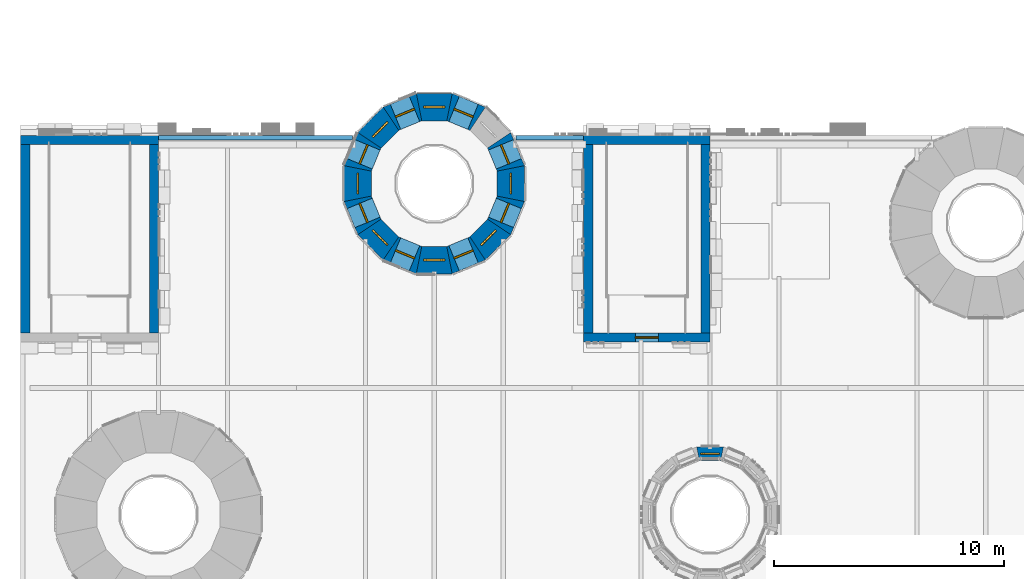
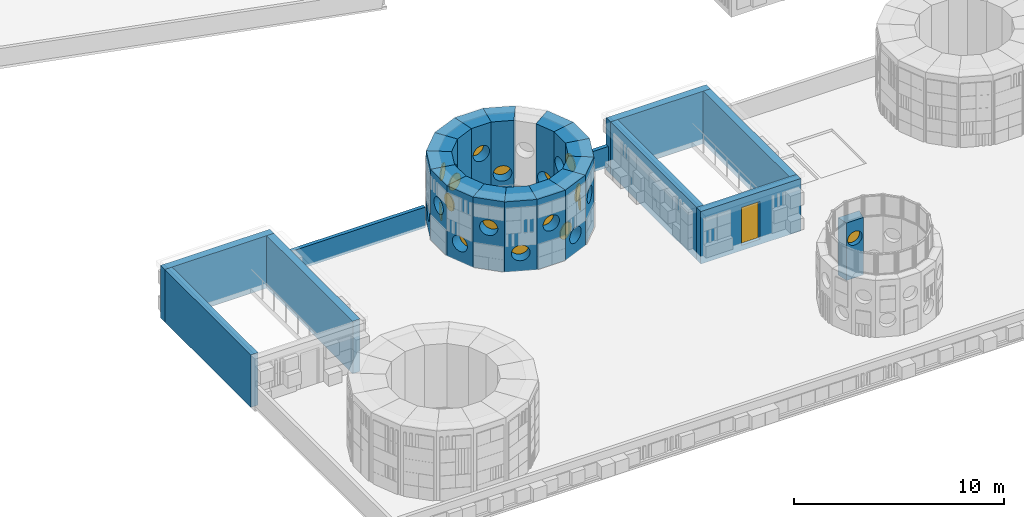
# One storey, part 50 of 98: 25 walls, 16 windows, 1 door, 17 openings.
"""IFC4 building model written with IfcOpenShell, lengths in metres."""

from ifc_helpers import new_model, si_unit, direction, frame, frame_2d, origin, place, context, subcontext, project, spatial, polyline, rectangle, circle, outline, extrude, material, layer, layer_set, type_object, element, fill, save


model = new_model("IFC4")

# Units and contexts
model_context = context("Model", 3, precision=1e-05, world=origin(), true_north=direction((0.0, 1.0)))
body_context = subcontext(model_context, "Body", "Model", "MODEL_VIEW")
ifc_project = project(units=[si_unit("LENGTHUNIT", "METRE"), si_unit("AREAUNIT", "SQUARE_METRE"), si_unit("VOLUMEUNIT", "CUBIC_METRE"), si_unit("PLANEANGLEUNIT", "RADIAN"), si_unit("MASSUNIT", "GRAM", prefix="KILO")], contexts=[model_context])

# Site, building, storey
site_placement = place(None, origin())
site = spatial("IfcSite", under=ifc_project, at=site_placement, CompositionType="ELEMENT")
building_placement = place(site_placement, origin())
building = spatial("IfcBuilding", under=site, at=building_placement, Name="Sun Court Science Centre", CompositionType="ELEMENT")
storey_placement = place(building_placement, frame((0.0, 0.0, 15.75)))
storey = spatial("IfcBuildingStorey", under=building, at=storey_placement, Name="L03", CompositionType="ELEMENT", Elevation=15.75)

# Wall, opening, window
ifc_material_1 = material(Name="Concrete C30/37", Category="concrete")
ifc_layer_1 = layer(ifc_material_1, 1.18798828125)
ifc_layer_set_1 = layer_set([ifc_layer_1], Name="Concrete C30/37")
wall_type_1 = type_object("IfcWallType", Name="RC cone ring wall exterior 1188", PredefinedType="SHEAR", material=ifc_layer_set_1)
wall_1_placement = place(storey_placement, frame((21.3740234375, 26.452880859375, 0.110107421875), z_axis=(0.0, 0.0, 1.0), x_axis=(-0.382637325897, 0.923898629088, 0.0)))
wall_1 = element("IfcWall", 1, at=wall_1_placement, inside=storey, type_object=wall_type_1, Name="Cone 2 ring wall L03 segment 1", PredefinedType="SHEAR", context=body_context, shape_type="SweptSolid", body=[
    extrude(outline(polyline([(0.000244140625, -0.59423828125), (1.560791015625, -0.59423828125), (1.324462890625, 0.593994140625), (0.236572265625, 0.593994140625), (0.000244140625, -0.59423828125)])), origin(), (0.0, 0.0, 1.0), 4.08984375),
])
opening_1_placement = place(wall_1_placement, frame((0.330322265625, 0.0, 0.60009765625)))
opening_1 = element("IfcOpeningElement", 2, at=opening_1_placement, cuts=wall_1, Name="Opening WN-L03-001", PredefinedType="OPENING", context=body_context, shape_type="SweptSolid", body=[
    extrude(circle(Radius=0.449951171875, at=frame_2d((0.449951171875, 0.449951171875))), frame((0.0, 0.604248046875, 0.0), z_axis=(0.0, -1.0, 0.0), x_axis=(1.0, 0.0, 0.0)), (0.0, 0.0, 1.0), 1.20849609375),
])
ifc_material_2 = material(Name="Aluminium frame, 6-12-6 glazing", Category="aluminium")
window_type_1 = type_object("IfcWindowType", Name="Round porthole 900", PartitioningType="SINGLE_PANEL", PredefinedType="WINDOW", material=ifc_material_2)
window_1_placement = place(opening_1_placement, origin())
window_1 = element("IfcWindow", 3, at=window_1_placement, inside=storey, type_object=window_type_1, Name="Round porthole cone 2 ring 4 01", OverallHeight=0.89990234375, OverallWidth=0.89990234375, PartitioningType="SINGLE_PANEL", PredefinedType="WINDOW", context=body_context, shape_type="SweptSolid", body=[
    extrude(circle(Radius=0.449951171875, at=frame_2d((0.449951171875, 0.449951171875))), frame((0.0, 0.030029296875, 0.0), z_axis=(0.0, -1.0, 0.0), x_axis=(1.0, 0.0, 0.0)), (0.0, 0.0, 1.0), 0.06005859375),
])
fill(opening_1, window_1)

wall_2_placement = place(storey_placement, frame((19.994873046875, 28.6767578125, 0.110107421875), z_axis=(0.0, 0.0, 1.0), x_axis=(-0.923843320534, 0.382770844116, 0.0)))
wall_2 = element("IfcWall", 4, at=wall_2_placement, inside=storey, type_object=wall_type_1, Name="Cone 2 ring wall L03 segment 3", PredefinedType="SHEAR", context=body_context, shape_type="SweptSolid", body=[
    extrude(outline(polyline([(0.0, -0.59423828125), (1.560546875, -0.59423828125), (1.324462890625, 0.59423828125), (0.236328125, 0.59423828125), (0.0, -0.59423828125)])), origin(), (0.0, 0.0, 1.0), 4.08984375),
])
opening_2_placement = place(wall_2_placement, frame((0.330322265625, 0.0, 0.60009765625)))
opening_2 = element("IfcOpeningElement", 5, at=opening_2_placement, cuts=wall_2, Name="Opening WN-L03-002", PredefinedType="OPENING", context=body_context, shape_type="SweptSolid", body=[
    extrude(circle(Radius=0.449951171875, at=frame_2d((0.449951171875, 0.449951171875))), frame((0.0, 0.604248046875, 0.0), z_axis=(0.0, -1.0, 0.0), x_axis=(1.0, 0.0, 0.0)), (0.0, 0.0, 1.0), 1.20849609375),
])
window_2_placement = place(opening_2_placement, origin())
window_2 = element("IfcWindow", 6, at=window_2_placement, inside=storey, type_object=window_type_1, Name="Round porthole cone 2 ring 4 03", OverallHeight=0.89990234375, OverallWidth=0.89990234375, PartitioningType="SINGLE_PANEL", PredefinedType="WINDOW", context=body_context, shape_type="SweptSolid", body=[
    extrude(circle(Radius=0.449951171875, at=frame_2d((0.449951171875, 0.449951171875))), frame((0.0, 0.030029296875, 0.0), z_axis=(0.0, -1.0, 0.0), x_axis=(1.0, 0.0, 0.0)), (0.0, 0.0, 1.0), 0.06005859375),
])
fill(opening_2, window_2)

wall_3_placement = place(storey_placement, frame((18.7802734375, 29.22900390625, 0.110107421875), z_axis=(0.0, 0.0, 1.0), x_axis=(-1.0, 0.0, 0.0)))
wall_3 = element("IfcWall", 7, at=wall_3_placement, inside=storey, type_object=wall_type_1, Name="Cone 2 ring wall L03 segment 4", PredefinedType="SHEAR", context=body_context, shape_type="SweptSolid", body=[
    extrude(outline(polyline([(-0.000244140625, -0.593994140625), (1.560791015625, -0.593994140625), (1.32421875, 0.59423828125), (0.236328125, 0.59423828125), (-0.000244140625, -0.593994140625)])), origin(), (0.0, 0.0, 1.0), 4.08984375),
])
opening_3_placement = place(wall_3_placement, frame((0.330322265625, 0.0, 2.0)))
opening_3 = element("IfcOpeningElement", 8, at=opening_3_placement, cuts=wall_3, Name="Opening WN-L03-010", PredefinedType="OPENING", context=body_context, shape_type="SweptSolid", body=[
    extrude(circle(Radius=0.449951171875, at=frame_2d((0.449951171875, 0.449951171875))), frame((0.0, 0.604248046875, 0.0), z_axis=(0.0, -1.0, 0.0), x_axis=(1.0, 0.0, 0.0)), (0.0, 0.0, 1.0), 1.20849609375),
])
window_3_placement = place(opening_3_placement, origin())
window_3 = element("IfcWindow", 9, at=window_3_placement, inside=storey, type_object=window_type_1, Name="Round porthole cone 2 ring 4 04", OverallHeight=0.89990234375, OverallWidth=0.89990234375, PartitioningType="SINGLE_PANEL", PredefinedType="WINDOW", context=body_context, shape_type="SweptSolid", body=[
    extrude(circle(Radius=0.449951171875, at=frame_2d((0.449951171875, 0.449951171875))), frame((0.0, 0.030029296875, 0.0), z_axis=(0.0, -1.0, 0.0), x_axis=(1.0, 0.0, 0.0)), (0.0, 0.0, 1.0), 0.06005859375),
])
fill(opening_3, window_3)

wall_4_placement = place(storey_placement, frame((17.447021484375, 29.274169921875, 0.110107421875), z_axis=(0.0, 0.0, 1.0), x_axis=(-0.923843320534, -0.382770844116, 0.0)))
wall_4 = element("IfcWall", 10, at=wall_4_placement, inside=storey, type_object=wall_type_1, Name="Cone 2 ring wall L03 segment 5", PredefinedType="SHEAR", context=body_context, shape_type="SweptSolid", body=[
    extrude(outline(polyline([(0.000244140625, -0.59423828125), (1.560791015625, -0.59423828125), (1.324462890625, 0.59423828125), (0.236328125, 0.59423828125), (0.000244140625, -0.59423828125)])), origin(), (0.0, 0.0, 1.0), 4.08984375),
])
opening_4_placement = place(wall_4_placement, frame((0.330322265625, 0.0, 0.60009765625)))
opening_4 = element("IfcOpeningElement", 11, at=opening_4_placement, cuts=wall_4, Name="Opening WN-L03-003", PredefinedType="OPENING", context=body_context, shape_type="SweptSolid", body=[
    extrude(circle(Radius=0.449951171875, at=frame_2d((0.449951171875, 0.449951171875))), frame((0.0, 0.604248046875, 0.0), z_axis=(0.0, -1.0, 0.0), x_axis=(1.0, 0.0, 0.0)), (0.0, 0.0, 1.0), 1.20849609375),
])
window_4_placement = place(opening_4_placement, origin())
window_4 = element("IfcWindow", 12, at=window_4_placement, inside=storey, type_object=window_type_1, Name="Round porthole cone 2 ring 4 05", OverallHeight=0.89990234375, OverallWidth=0.89990234375, PartitioningType="SINGLE_PANEL", PredefinedType="WINDOW", context=body_context, shape_type="SweptSolid", body=[
    extrude(circle(Radius=0.449951171875, at=frame_2d((0.449951171875, 0.449951171875))), frame((0.0, 0.030029296875, 0.0), z_axis=(0.0, -1.0, 0.0), x_axis=(1.0, 0.0, 0.0)), (0.0, 0.0, 1.0), 0.06005859375),
])
fill(opening_4, window_4)

wall_5_placement = place(storey_placement, frame((16.197998046875, 28.8056640625, 0.110107421875), z_axis=(0.0, 0.0, 1.0), x_axis=(-0.707184987986, -0.707028565737, 0.0)))
wall_5 = element("IfcWall", 13, at=wall_5_placement, inside=storey, type_object=wall_type_1, Name="Cone 2 ring wall L03 segment 6", PredefinedType="SHEAR", context=body_context, shape_type="SweptSolid", body=[
    extrude(outline(polyline([(0.000244140625, -0.594482421875), (1.560791015625, -0.59423828125), (1.32421875, 0.59423828125), (0.236328125, 0.59423828125), (0.000244140625, -0.594482421875)])), origin(), (0.0, 0.0, 1.0), 4.08984375),
])
opening_5_placement = place(wall_5_placement, frame((0.330322265625, 0.0, 2.0)))
opening_5 = element("IfcOpeningElement", 14, at=opening_5_placement, cuts=wall_5, Name="Opening WN-L03-011", PredefinedType="OPENING", context=body_context, shape_type="SweptSolid", body=[
    extrude(circle(Radius=0.449951171875, at=frame_2d((0.449951171875, 0.449951171875))), frame((0.0, 0.604248046875, 0.0), z_axis=(0.0, -1.0, 0.0), x_axis=(1.0, 0.0, 0.0)), (0.0, 0.0, 1.0), 1.20849609375),
])
window_5_placement = place(opening_5_placement, origin())
window_5 = element("IfcWindow", 15, at=window_5_placement, inside=storey, type_object=window_type_1, Name="Round porthole cone 2 ring 4 06", OverallHeight=0.89990234375, OverallWidth=0.89990234375, PartitioningType="SINGLE_PANEL", PredefinedType="WINDOW", context=body_context, shape_type="SweptSolid", body=[
    extrude(circle(Radius=0.449951171875, at=frame_2d((0.449951171875, 0.449951171875))), frame((0.0, 0.030029296875, 0.0), z_axis=(0.0, -1.0, 0.0), x_axis=(1.0, 0.0, 0.0)), (0.0, 0.0, 1.0), 0.06005859375),
])
fill(opening_5, window_5)

wall_6_placement = place(storey_placement, frame((15.22314453125, 27.894775390625, 0.110107421875), z_axis=(0.0, 0.0, 1.0), x_axis=(-0.382637325897, -0.923898629088, 0.0)))
wall_6 = element("IfcWall", 16, at=wall_6_placement, inside=storey, type_object=wall_type_1, Name="Cone 2 ring wall L03 segment 7", PredefinedType="SHEAR", context=body_context, shape_type="SweptSolid", body=[
    extrude(outline(polyline([(-0.000244140625, -0.59423828125), (1.560546875, -0.59423828125), (1.32421875, 0.593994140625), (0.236328125, 0.593994140625), (-0.000244140625, -0.59423828125)])), origin(), (0.0, 0.0, 1.0), 4.08984375),
])
opening_6_placement = place(wall_6_placement, frame((0.330322265625, 0.0, 0.60009765625)))
opening_6 = element("IfcOpeningElement", 17, at=opening_6_placement, cuts=wall_6, Name="Opening WN-L03-004", PredefinedType="OPENING", context=body_context, shape_type="SweptSolid", body=[
    extrude(circle(Radius=0.449951171875, at=frame_2d((0.449951171875, 0.449951171875))), frame((0.0, 0.604248046875, 0.0), z_axis=(0.0, -1.0, 0.0), x_axis=(1.0, 0.0, 0.0)), (0.0, 0.0, 1.0), 1.20849609375),
])
window_6_placement = place(opening_6_placement, origin())
window_6 = element("IfcWindow", 18, at=window_6_placement, inside=storey, type_object=window_type_1, Name="Round porthole cone 2 ring 4 07", OverallHeight=0.89990234375, OverallWidth=0.89990234375, PartitioningType="SINGLE_PANEL", PredefinedType="WINDOW", context=body_context, shape_type="SweptSolid", body=[
    extrude(circle(Radius=0.449951171875, at=frame_2d((0.449951171875, 0.449951171875))), frame((0.0, 0.030029296875, 0.0), z_axis=(0.0, -1.0, 0.0), x_axis=(1.0, 0.0, 0.0)), (0.0, 0.0, 1.0), 0.06005859375),
])
fill(opening_6, window_6)

wall_7_placement = place(storey_placement, frame((14.671142578125, 26.680419921875, 0.110107421875), z_axis=(0.0, 0.0, 1.0), x_axis=(0.0, -1.0, 0.0)))
wall_7 = element("IfcWall", 19, at=wall_7_placement, inside=storey, type_object=wall_type_1, Name="Cone 2 ring wall L03 segment 8", PredefinedType="SHEAR", context=body_context, shape_type="SweptSolid", body=[
    extrude(outline(polyline([(0.0, -0.59423828125), (1.560791015625, -0.59423828125), (1.324462890625, 0.59423828125), (0.236328125, 0.59423828125), (0.0, -0.59423828125)])), origin(), (0.0, 0.0, 1.0), 4.08984375),
])
opening_7_placement = place(wall_7_placement, frame((0.330322265625, 0.0, 2.0)))
opening_7 = element("IfcOpeningElement", 20, at=opening_7_placement, cuts=wall_7, Name="Opening WN-L03-012", PredefinedType="OPENING", context=body_context, shape_type="SweptSolid", body=[
    extrude(circle(Radius=0.449951171875, at=frame_2d((0.449951171875, 0.449951171875))), frame((0.0, 0.604248046875, 0.0), z_axis=(0.0, -1.0, 0.0), x_axis=(1.0, 0.0, 0.0)), (0.0, 0.0, 1.0), 1.20849609375),
])
window_7_placement = place(opening_7_placement, origin())
window_7 = element("IfcWindow", 21, at=window_7_placement, inside=storey, type_object=window_type_1, Name="Round porthole cone 2 ring 4 08", OverallHeight=0.89990234375, OverallWidth=0.89990234375, PartitioningType="SINGLE_PANEL", PredefinedType="WINDOW", context=body_context, shape_type="SweptSolid", body=[
    extrude(circle(Radius=0.449951171875, at=frame_2d((0.449951171875, 0.449951171875))), frame((0.0, 0.030029296875, 0.0), z_axis=(0.0, -1.0, 0.0), x_axis=(1.0, 0.0, 0.0)), (0.0, 0.0, 1.0), 0.06005859375),
])
fill(opening_7, window_7)

wall_8_placement = place(storey_placement, frame((14.6259765625, 25.346923828125, 0.110107421875), z_axis=(0.0, 0.0, 1.0), x_axis=(0.382637325897, -0.923898629088, 0.0)))
wall_8 = element("IfcWall", 22, at=wall_8_placement, inside=storey, type_object=wall_type_1, Name="Cone 2 ring wall L03 segment 9", PredefinedType="SHEAR", context=body_context, shape_type="SweptSolid", body=[
    extrude(outline(polyline([(0.0, -0.59423828125), (1.560546875, -0.59423828125), (1.32421875, 0.59423828125), (0.236328125, 0.59423828125), (0.0, -0.59423828125)])), origin(), (0.0, 0.0, 1.0), 4.08984375),
])
opening_8_placement = place(wall_8_placement, frame((0.330322265625, 0.0, 0.60009765625)))
opening_8 = element("IfcOpeningElement", 23, at=opening_8_placement, cuts=wall_8, Name="Opening WN-L03-005", PredefinedType="OPENING", context=body_context, shape_type="SweptSolid", body=[
    extrude(circle(Radius=0.449951171875, at=frame_2d((0.449951171875, 0.449951171875))), frame((0.0, 0.604248046875, 0.0), z_axis=(0.0, -1.0, 0.0), x_axis=(1.0, 0.0, 0.0)), (0.0, 0.0, 1.0), 1.20849609375),
])
window_8_placement = place(opening_8_placement, origin())
window_8 = element("IfcWindow", 24, at=window_8_placement, inside=storey, type_object=window_type_1, Name="Round porthole cone 2 ring 4 09", OverallHeight=0.89990234375, OverallWidth=0.89990234375, PartitioningType="SINGLE_PANEL", PredefinedType="WINDOW", context=body_context, shape_type="SweptSolid", body=[
    extrude(circle(Radius=0.449951171875, at=frame_2d((0.449951171875, 0.449951171875))), frame((0.0, 0.030029296875, 0.0), z_axis=(0.0, -1.0, 0.0), x_axis=(1.0, 0.0, 0.0)), (0.0, 0.0, 1.0), 0.06005859375),
])
fill(opening_8, window_8)

wall_9_placement = place(storey_placement, frame((15.09423828125, 24.097900390625, 0.110107421875), z_axis=(0.0, 0.0, 1.0), x_axis=(0.707184987986, -0.707028565737, 0.0)))
wall_9 = element("IfcWall", 25, at=wall_9_placement, inside=storey, type_object=wall_type_1, Name="Cone 2 ring wall L03 segment 10", PredefinedType="SHEAR", context=body_context, shape_type="SweptSolid", body=[
    extrude(outline(polyline([(0.0, -0.59423828125), (1.560546875, -0.594482421875), (1.32421875, 0.59423828125), (0.236572265625, 0.59423828125), (0.0, -0.59423828125)])), origin(), (0.0, 0.0, 1.0), 4.08984375),
])
opening_9_placement = place(wall_9_placement, frame((0.330322265625, 0.0, 2.0)))
opening_9 = element("IfcOpeningElement", 26, at=opening_9_placement, cuts=wall_9, Name="Opening WN-L03-013", PredefinedType="OPENING", context=body_context, shape_type="SweptSolid", body=[
    extrude(circle(Radius=0.449951171875, at=frame_2d((0.449951171875, 0.449951171875))), frame((0.0, 0.604248046875, 0.0), z_axis=(0.0, -1.0, 0.0), x_axis=(1.0, 0.0, 0.0)), (0.0, 0.0, 1.0), 1.20849609375),
])
window_9_placement = place(opening_9_placement, origin())
window_9 = element("IfcWindow", 27, at=window_9_placement, inside=storey, type_object=window_type_1, Name="Round porthole cone 2 ring 4 10", OverallHeight=0.89990234375, OverallWidth=0.89990234375, PartitioningType="SINGLE_PANEL", PredefinedType="WINDOW", context=body_context, shape_type="SweptSolid", body=[
    extrude(circle(Radius=0.449951171875, at=frame_2d((0.449951171875, 0.449951171875))), frame((0.0, 0.030029296875, 0.0), z_axis=(0.0, -1.0, 0.0), x_axis=(1.0, 0.0, 0.0)), (0.0, 0.0, 1.0), 0.06005859375),
])
fill(opening_9, window_9)

wall_10_placement = place(storey_placement, frame((16.005126953125, 23.123046875, 0.110107421875), z_axis=(0.0, 0.0, 1.0), x_axis=(0.923898629088, -0.382637325897, 0.0)))
wall_10 = element("IfcWall", 28, at=wall_10_placement, inside=storey, type_object=wall_type_1, Name="Cone 2 ring wall L03 segment 11", PredefinedType="SHEAR", context=body_context, shape_type="SweptSolid", body=[
    extrude(outline(polyline([(-0.000244140625, -0.59423828125), (1.560546875, -0.59423828125), (1.324462890625, 0.59423828125), (0.236328125, 0.594482421875), (-0.000244140625, -0.59423828125)])), origin(), (0.0, 0.0, 1.0), 4.08984375),
])
opening_10_placement = place(wall_10_placement, frame((0.330322265625, 0.0, 0.60009765625)))
opening_10 = element("IfcOpeningElement", 29, at=opening_10_placement, cuts=wall_10, Name="Opening WN-L03-006", PredefinedType="OPENING", context=body_context, shape_type="SweptSolid", body=[
    extrude(circle(Radius=0.449951171875, at=frame_2d((0.449951171875, 0.449951171875))), frame((0.0, 0.604248046875, 0.0), z_axis=(0.0, -1.0, 0.0), x_axis=(1.0, 0.0, 0.0)), (0.0, 0.0, 1.0), 1.20849609375),
])
window_10_placement = place(opening_10_placement, origin())
window_10 = element("IfcWindow", 30, at=window_10_placement, inside=storey, type_object=window_type_1, Name="Round porthole cone 2 ring 4 11", OverallHeight=0.89990234375, OverallWidth=0.89990234375, PartitioningType="SINGLE_PANEL", PredefinedType="WINDOW", context=body_context, shape_type="SweptSolid", body=[
    extrude(circle(Radius=0.449951171875, at=frame_2d((0.449951171875, 0.449951171875))), frame((0.0, 0.030029296875, 0.0), z_axis=(0.0, -1.0, 0.0), x_axis=(1.0, 0.0, 0.0)), (0.0, 0.0, 1.0), 0.06005859375),
])
fill(opening_10, window_10)

wall_11_placement = place(storey_placement, frame((17.2197265625, 22.571044921875, 0.110107421875), z_axis=(0.0, 0.0, 1.0), x_axis=(1.0, 0.0, 0.0)))
wall_11 = element("IfcWall", 31, at=wall_11_placement, inside=storey, type_object=wall_type_1, Name="Cone 2 ring wall L03 segment 12", PredefinedType="SHEAR", context=body_context, shape_type="SweptSolid", body=[
    extrude(outline(polyline([(-0.000244140625, -0.59423828125), (1.560791015625, -0.59423828125), (1.32421875, 0.59423828125), (0.236328125, 0.59423828125), (-0.000244140625, -0.59423828125)])), origin(), (0.0, 0.0, 1.0), 4.08984375),
])
opening_11_placement = place(wall_11_placement, frame((0.330322265625, 0.0, 2.0)))
opening_11 = element("IfcOpeningElement", 32, at=opening_11_placement, cuts=wall_11, Name="Opening WN-L03-014", PredefinedType="OPENING", context=body_context, shape_type="SweptSolid", body=[
    extrude(circle(Radius=0.449951171875, at=frame_2d((0.449951171875, 0.449951171875))), frame((0.0, 0.604248046875, 0.0), z_axis=(0.0, -1.0, 0.0), x_axis=(1.0, 0.0, 0.0)), (0.0, 0.0, 1.0), 1.20849609375),
])
window_11_placement = place(opening_11_placement, origin())
window_11 = element("IfcWindow", 33, at=window_11_placement, inside=storey, type_object=window_type_1, Name="Round porthole cone 2 ring 4 12", OverallHeight=0.89990234375, OverallWidth=0.89990234375, PartitioningType="SINGLE_PANEL", PredefinedType="WINDOW", context=body_context, shape_type="SweptSolid", body=[
    extrude(circle(Radius=0.449951171875, at=frame_2d((0.449951171875, 0.449951171875))), frame((0.0, 0.030029296875, 0.0), z_axis=(0.0, -1.0, 0.0), x_axis=(1.0, 0.0, 0.0)), (0.0, 0.0, 1.0), 0.06005859375),
])
fill(opening_11, window_11)

wall_12_placement = place(storey_placement, frame((18.552978515625, 22.52587890625, 0.110107421875), z_axis=(0.0, 0.0, 1.0), x_axis=(0.923898629088, 0.382637325897, 0.0)))
wall_12 = element("IfcWall", 34, at=wall_12_placement, inside=storey, type_object=wall_type_1, Name="Cone 2 ring wall L03 segment 13", PredefinedType="SHEAR", context=body_context, shape_type="SweptSolid", body=[
    extrude(outline(polyline([(0.000244140625, -0.59423828125), (1.560791015625, -0.59423828125), (1.32421875, 0.594482421875), (0.236328125, 0.59423828125), (0.000244140625, -0.59423828125)])), origin(), (0.0, 0.0, 1.0), 4.08984375),
])
opening_12_placement = place(wall_12_placement, frame((0.330322265625, 0.0, 0.60009765625)))
opening_12 = element("IfcOpeningElement", 35, at=opening_12_placement, cuts=wall_12, Name="Opening WN-L03-007", PredefinedType="OPENING", context=body_context, shape_type="SweptSolid", body=[
    extrude(circle(Radius=0.449951171875, at=frame_2d((0.449951171875, 0.449951171875))), frame((0.0, 0.604248046875, 0.0), z_axis=(0.0, -1.0, 0.0), x_axis=(1.0, 0.0, 0.0)), (0.0, 0.0, 1.0), 1.20849609375),
])
window_12_placement = place(opening_12_placement, origin())
window_12 = element("IfcWindow", 36, at=window_12_placement, inside=storey, type_object=window_type_1, Name="Round porthole cone 2 ring 4 13", OverallHeight=0.89990234375, OverallWidth=0.89990234375, PartitioningType="SINGLE_PANEL", PredefinedType="WINDOW", context=body_context, shape_type="SweptSolid", body=[
    extrude(circle(Radius=0.449951171875, at=frame_2d((0.449951171875, 0.449951171875))), frame((0.0, 0.030029296875, 0.0), z_axis=(0.0, -1.0, 0.0), x_axis=(1.0, 0.0, 0.0)), (0.0, 0.0, 1.0), 0.06005859375),
])
fill(opening_12, window_12)

wall_13_placement = place(storey_placement, frame((19.802001953125, 22.994384765625, 0.110107421875), z_axis=(0.0, 0.0, 1.0), x_axis=(0.707184987986, 0.707028565737, 0.0)))
wall_13 = element("IfcWall", 37, at=wall_13_placement, inside=storey, type_object=wall_type_1, Name="Cone 2 ring wall L03 segment 14", PredefinedType="SHEAR", context=body_context, shape_type="SweptSolid", body=[
    extrude(outline(polyline([(0.000244140625, -0.594482421875), (1.560791015625, -0.59423828125), (1.32421875, 0.59423828125), (0.236328125, 0.59423828125), (0.000244140625, -0.594482421875)])), origin(), (0.0, 0.0, 1.0), 4.08984375),
])
opening_13_placement = place(wall_13_placement, frame((0.330322265625, 0.0, 2.0)))
opening_13 = element("IfcOpeningElement", 38, at=opening_13_placement, cuts=wall_13, Name="Opening WN-L03-015", PredefinedType="OPENING", context=body_context, shape_type="SweptSolid", body=[
    extrude(circle(Radius=0.449951171875, at=frame_2d((0.449951171875, 0.449951171875))), frame((0.0, 0.604248046875, 0.0), z_axis=(0.0, -1.0, 0.0), x_axis=(1.0, 0.0, 0.0)), (0.0, 0.0, 1.0), 1.20849609375),
])
window_13_placement = place(opening_13_placement, origin())
window_13 = element("IfcWindow", 39, at=window_13_placement, inside=storey, type_object=window_type_1, Name="Round porthole cone 2 ring 4 14", OverallHeight=0.89990234375, OverallWidth=0.89990234375, PartitioningType="SINGLE_PANEL", PredefinedType="WINDOW", context=body_context, shape_type="SweptSolid", body=[
    extrude(circle(Radius=0.449951171875, at=frame_2d((0.449951171875, 0.449951171875))), frame((0.0, 0.030029296875, 0.0), z_axis=(0.0, -1.0, 0.0), x_axis=(1.0, 0.0, 0.0)), (0.0, 0.0, 1.0), 0.06005859375),
])
fill(opening_13, window_13)

wall_14_placement = place(storey_placement, frame((20.77685546875, 23.905029296875, 0.110107421875), z_axis=(0.0, 0.0, 1.0), x_axis=(0.382637325897, 0.923898629088, 0.0)))
wall_14 = element("IfcWall", 40, at=wall_14_placement, inside=storey, type_object=wall_type_1, Name="Cone 2 ring wall L03 segment 15", PredefinedType="SHEAR", context=body_context, shape_type="SweptSolid", body=[
    extrude(outline(polyline([(0.0, -0.59423828125), (1.560791015625, -0.59423828125), (1.324462890625, 0.59423828125), (0.236328125, 0.59423828125), (0.0, -0.59423828125)])), origin(), (0.0, 0.0, 1.0), 4.08984375),
])
opening_14_placement = place(wall_14_placement, frame((0.330322265625, 0.0, 0.60009765625)))
opening_14 = element("IfcOpeningElement", 41, at=opening_14_placement, cuts=wall_14, Name="Opening WN-L03-008", PredefinedType="OPENING", context=body_context, shape_type="SweptSolid", body=[
    extrude(circle(Radius=0.449951171875, at=frame_2d((0.449951171875, 0.449951171875))), frame((0.0, 0.604248046875, 0.0), z_axis=(0.0, -1.0, 0.0), x_axis=(1.0, 0.0, 0.0)), (0.0, 0.0, 1.0), 1.20849609375),
])
window_14_placement = place(opening_14_placement, origin())
window_14 = element("IfcWindow", 42, at=window_14_placement, inside=storey, type_object=window_type_1, Name="Round porthole cone 2 ring 4 15", OverallHeight=0.89990234375, OverallWidth=0.89990234375, PartitioningType="SINGLE_PANEL", PredefinedType="WINDOW", context=body_context, shape_type="SweptSolid", body=[
    extrude(circle(Radius=0.449951171875, at=frame_2d((0.449951171875, 0.449951171875))), frame((0.0, 0.030029296875, 0.0), z_axis=(0.0, -1.0, 0.0), x_axis=(1.0, 0.0, 0.0)), (0.0, 0.0, 1.0), 0.06005859375),
])
fill(opening_14, window_14)

wall_15_placement = place(storey_placement, frame((21.328857421875, 25.11962890625, 0.110107421875), z_axis=(0.0, 0.0, 1.0), x_axis=(0.0, 1.0, 0.0)))
wall_15 = element("IfcWall", 43, at=wall_15_placement, inside=storey, type_object=wall_type_1, Name="Cone 2 ring wall L03 segment 16", PredefinedType="SHEAR", context=body_context, shape_type="SweptSolid", body=[
    extrude(outline(polyline([(0.0, -0.59423828125), (1.560791015625, -0.59423828125), (1.324462890625, 0.59423828125), (0.236328125, 0.59423828125), (0.0, -0.59423828125)])), origin(), (0.0, 0.0, 1.0), 4.08984375),
])
opening_15_placement = place(wall_15_placement, frame((0.330322265625, 0.0, 2.0)))
opening_15 = element("IfcOpeningElement", 44, at=opening_15_placement, cuts=wall_15, Name="Opening WN-L03-016", PredefinedType="OPENING", context=body_context, shape_type="SweptSolid", body=[
    extrude(circle(Radius=0.449951171875, at=frame_2d((0.449951171875, 0.449951171875))), frame((0.0, 0.604248046875, 0.0), z_axis=(0.0, -1.0, 0.0), x_axis=(1.0, 0.0, 0.0)), (0.0, 0.0, 1.0), 1.20849609375),
])
window_15_placement = place(opening_15_placement, origin())
window_15 = element("IfcWindow", 45, at=window_15_placement, inside=storey, type_object=window_type_1, Name="Round porthole cone 2 ring 4 16", OverallHeight=0.89990234375, OverallWidth=0.89990234375, PartitioningType="SINGLE_PANEL", PredefinedType="WINDOW", context=body_context, shape_type="SweptSolid", body=[
    extrude(circle(Radius=0.449951171875, at=frame_2d((0.449951171875, 0.449951171875))), frame((0.0, 0.030029296875, 0.0), z_axis=(0.0, -1.0, 0.0), x_axis=(1.0, 0.0, 0.0)), (0.0, 0.0, 1.0), 0.06005859375),
])
fill(opening_15, window_15)

ifc_material_3 = material(Name="Concrete C30/37", Category="concrete")
ifc_layer_2 = layer(ifc_material_3, 0.60009765625)
ifc_layer_set_2 = layer_set([ifc_layer_2], Name="Concrete C30/37")
wall_type_2 = type_object("IfcWallType", Name="RC cone ring wall exterior 600", PredefinedType="SHEAR", material=ifc_layer_set_2)
wall_16_placement = place(storey_placement, frame((30.585205078125, 14.142333984375, 0.110107421875), z_axis=(0.0, 0.0, 1.0), x_axis=(-1.0, 0.0, 0.0)))
wall_16 = element("IfcWall", 46, at=wall_16_placement, inside=storey, type_object=wall_type_2, Name="Cone 3 ring wall L03 segment 4", PredefinedType="SHEAR", context=body_context, shape_type="SweptSolid", body=[
    extrude(outline(polyline([(0.0, -0.300048828125), (1.17041015625, -0.300048828125), (1.051025390625, 0.300048828125), (0.119384765625, 0.300048828125), (0.0, -0.300048828125)])), origin(), (0.0, 0.0, 1.0), 3.33984375),
])
opening_16_placement = place(wall_16_placement, frame((0.185302734375, 0.0, 1.89990234375)))
opening_16 = element("IfcOpeningElement", 47, at=opening_16_placement, cuts=wall_16, Name="Opening WN-L03-026", PredefinedType="OPENING", context=body_context, shape_type="SweptSolid", body=[
    extrude(circle(Radius=0.39990234375, at=frame_2d((0.39990234375, 0.39990234375))), frame((0.0, 0.31005859375, 0.0), z_axis=(0.0, -1.0, 0.0), x_axis=(1.0, 0.0, 0.0)), (0.0, 0.0, 1.0), 0.6201171875),
])
ifc_material_4 = material(Name="Aluminium frame, 6-12-6 glazing", Category="aluminium")
window_type_2 = type_object("IfcWindowType", Name="Round porthole 800", PartitioningType="SINGLE_PANEL", PredefinedType="WINDOW", material=ifc_material_4)
window_16_placement = place(opening_16_placement, origin())
window_16 = element("IfcWindow", 48, at=window_16_placement, inside=storey, type_object=window_type_2, Name="Round porthole cone 3 ring 4 04", OverallHeight=0.800048828125, OverallWidth=0.800048828125, PartitioningType="SINGLE_PANEL", PredefinedType="WINDOW", context=body_context, shape_type="SweptSolid", body=[
    extrude(circle(Radius=0.39990234375, at=frame_2d((0.39990234375, 0.39990234375))), frame((0.0, 0.030029296875, 0.0), z_axis=(0.0, -1.0, 0.0), x_axis=(1.0, 0.0, 0.0)), (0.0, 0.0, 1.0), 0.06005859375),
])
fill(opening_16, window_16)

# Walls
ifc_material_5 = material(Name="Concrete C30/37", Category="concrete")
ifc_layer_3 = layer(ifc_material_5, 0.199951171875)
ifc_layer_set_3 = layer_set([ifc_layer_3], Name="Concrete C30/37")
wall_type_3 = type_object("IfcWallType", Name="RC parapet 200", PredefinedType="PARAPET", material=ifc_layer_set_3)
wall_17_placement = place(storey_placement, frame((6.0, 27.89990234375, 0.0), z_axis=(0.0, 0.0, 1.0), x_axis=(1.0, 0.0, 0.0)))
element("IfcWall", 49, at=wall_17_placement, inside=storey, type_object=wall_type_3, Name="Roof parapet north face 01", PredefinedType="PARAPET", context=body_context, shape_type="SweptSolid", body=[
    extrude(rectangle(XDim=8.44921875, YDim=0.199951171875, at=frame_2d((4.224609375, 0.0))), origin(), (0.0, 0.0, 1.0), 1.199951171875),
])
wall_18_placement = place(storey_placement, frame((21.55078125, 27.89990234375, 0.0), z_axis=(0.0, 0.0, 1.0), x_axis=(1.0, 0.0, 0.0)))
element("IfcWall", 50, at=wall_18_placement, inside=storey, type_object=wall_type_3, Name="Roof parapet north face 02", PredefinedType="PARAPET", context=body_context, shape_type="SweptSolid", body=[
    extrude(rectangle(XDim=2.94921875, YDim=0.199951171875, at=frame_2d((1.474609375, 0.0))), origin(), (0.0, 0.0, 1.0), 1.199951171875),
])
ifc_material_6 = material(Name="Concrete C30/37", Category="concrete")
ifc_layer_4 = layer(ifc_material_6, 0.39990234375)
ifc_layer_set_4 = layer_set([ifc_layer_4], Name="Concrete C30/37")
wall_type_4 = type_object("IfcWallType", Name="RC stair core wall 400", PredefinedType="SHEAR", material=ifc_layer_set_4)
wall_19_placement = place(storey_placement, frame((5.800048828125, 19.39990234375, -0.300048828125), z_axis=(0.0, 0.0, 1.0), x_axis=(0.0, 1.0, 0.0)))
element("IfcWall", 51, at=wall_19_placement, inside=storey, type_object=wall_type_4, Name="Stair core SB1 wall E, L03", PredefinedType="SHEAR", context=body_context, shape_type="SweptSolid", body=[
    extrude(rectangle(XDim=8.2001953125, YDim=0.39990234375, at=frame_2d((4.10009765625, 0.0))), origin(), (0.0, 0.0, 1.0), 3.050048828125),
])
wall_20_placement = place(storey_placement, frame((0.0, 27.800048828125, -0.300048828125), z_axis=(0.0, 0.0, 1.0), x_axis=(1.0, 0.0, 0.0)))
element("IfcWall", 52, at=wall_20_placement, inside=storey, type_object=wall_type_4, Name="Stair core SB1 wall N, L03", PredefinedType="SHEAR", context=body_context, shape_type="SweptSolid", body=[
    extrude(rectangle(XDim=6.0, YDim=0.39990234375, at=frame_2d((3.0, 0.0))), origin(), (0.0, 0.0, 1.0), 3.050048828125),
])
wall_21_placement = place(storey_placement, frame((0.199951171875, 19.39990234375, -0.300048828125), z_axis=(0.0, 0.0, 1.0), x_axis=(0.0, 1.0, 0.0)))
element("IfcWall", 53, at=wall_21_placement, inside=storey, type_object=wall_type_4, Name="Stair core SB1 wall W, L03", PredefinedType="SHEAR", context=body_context, shape_type="SweptSolid", body=[
    extrude(rectangle(XDim=8.2001953125, YDim=0.39990234375, at=frame_2d((4.10009765625, 0.0))), origin(), (0.0, 0.0, 1.0), 3.050048828125),
])

# Wall, opening, door
wall_22_placement = place(storey_placement, frame((24.5, 19.199951171875, -0.300048828125), z_axis=(0.0, 0.0, 1.0), x_axis=(1.0, 0.0, 0.0)))
wall_22 = element("IfcWall", 54, at=wall_22_placement, inside=storey, type_object=wall_type_4, Name="Stair core SB2 wall S, L03", PredefinedType="SHEAR", context=body_context, shape_type="SweptSolid", body=[
    extrude(rectangle(XDim=5.5, YDim=0.39990234375, at=frame_2d((2.75, 0.0))), origin(), (0.0, 0.0, 1.0), 3.050048828125),
])
opening_17_placement = place(wall_22_placement, frame((2.25, 0.0, 0.300048828125)))
opening_17 = element("IfcOpeningElement", 55, at=opening_17_placement, cuts=wall_22, Name="Opening D-L03-002", PredefinedType="OPENING", context=body_context, shape_type="SweptSolid", body=[
    extrude(rectangle(XDim=1.0, YDim=2.199951171875, at=frame_2d((0.5, 1.10009765625))), frame((0.0, 0.2099609375, 0.0), z_axis=(0.0, -1.0, 0.0), x_axis=(1.0, 0.0, 0.0)), (0.0, 0.0, 1.0), 0.419921875),
])
ifc_material_7 = material(Name="Steel and glass", Category="steel")
door_type = type_object("IfcDoorType", Name="Exterior door 1000 x 2200 single", OperationType="SINGLE_SWING_LEFT", PredefinedType="DOOR", material=ifc_material_7)
door_placement = place(opening_17_placement, origin())
door = element("IfcDoor", 56, at=door_placement, inside=storey, type_object=door_type, Name="Roof access door D-L03-002 to the maintenance roof", OperationType="SINGLE_SWING_LEFT", OverallHeight=2.199951171875, OverallWidth=1.0, PredefinedType="DOOR", context=body_context, shape_type="SweptSolid", body=[
    extrude(rectangle(XDim=1.0, YDim=2.199951171875, at=frame_2d((0.5, 1.10009765625))), frame((0.0, 0.02490234375, 0.0), z_axis=(0.0, -1.0, 0.0), x_axis=(1.0, 0.0, 0.0)), (0.0, 0.0, 1.0), 0.050048828125),
])
fill(opening_17, door)

# Walls
wall_23_placement = place(storey_placement, frame((29.800048828125, 19.39990234375, -0.300048828125), z_axis=(0.0, 0.0, 1.0), x_axis=(0.0, 1.0, 0.0)))
element("IfcWall", 57, at=wall_23_placement, inside=storey, type_object=wall_type_4, Name="Stair core SB2 wall E, L03", PredefinedType="SHEAR", context=body_context, shape_type="SweptSolid", body=[
    extrude(rectangle(XDim=8.2001953125, YDim=0.39990234375, at=frame_2d((4.10009765625, 0.0))), origin(), (0.0, 0.0, 1.0), 3.050048828125),
])
wall_24_placement = place(storey_placement, frame((24.5, 27.800048828125, -0.300048828125), z_axis=(0.0, 0.0, 1.0), x_axis=(1.0, 0.0, 0.0)))
element("IfcWall", 58, at=wall_24_placement, inside=storey, type_object=wall_type_4, Name="Stair core SB2 wall N, L03", PredefinedType="SHEAR", context=body_context, shape_type="SweptSolid", body=[
    extrude(rectangle(XDim=5.5, YDim=0.39990234375, at=frame_2d((2.75, 0.0))), origin(), (0.0, 0.0, 1.0), 3.050048828125),
])
wall_25_placement = place(storey_placement, frame((24.699951171875, 19.39990234375, -0.300048828125), z_axis=(0.0, 0.0, 1.0), x_axis=(0.0, 1.0, 0.0)))
element("IfcWall", 59, at=wall_25_placement, inside=storey, type_object=wall_type_4, Name="Stair core SB2 wall W, L03", PredefinedType="SHEAR", context=body_context, shape_type="SweptSolid", body=[
    extrude(rectangle(XDim=8.2001953125, YDim=0.39990234375, at=frame_2d((4.10009765625, 0.0))), origin(), (0.0, 0.0, 1.0), 3.050048828125),
])

save(model, "model.ifc")
